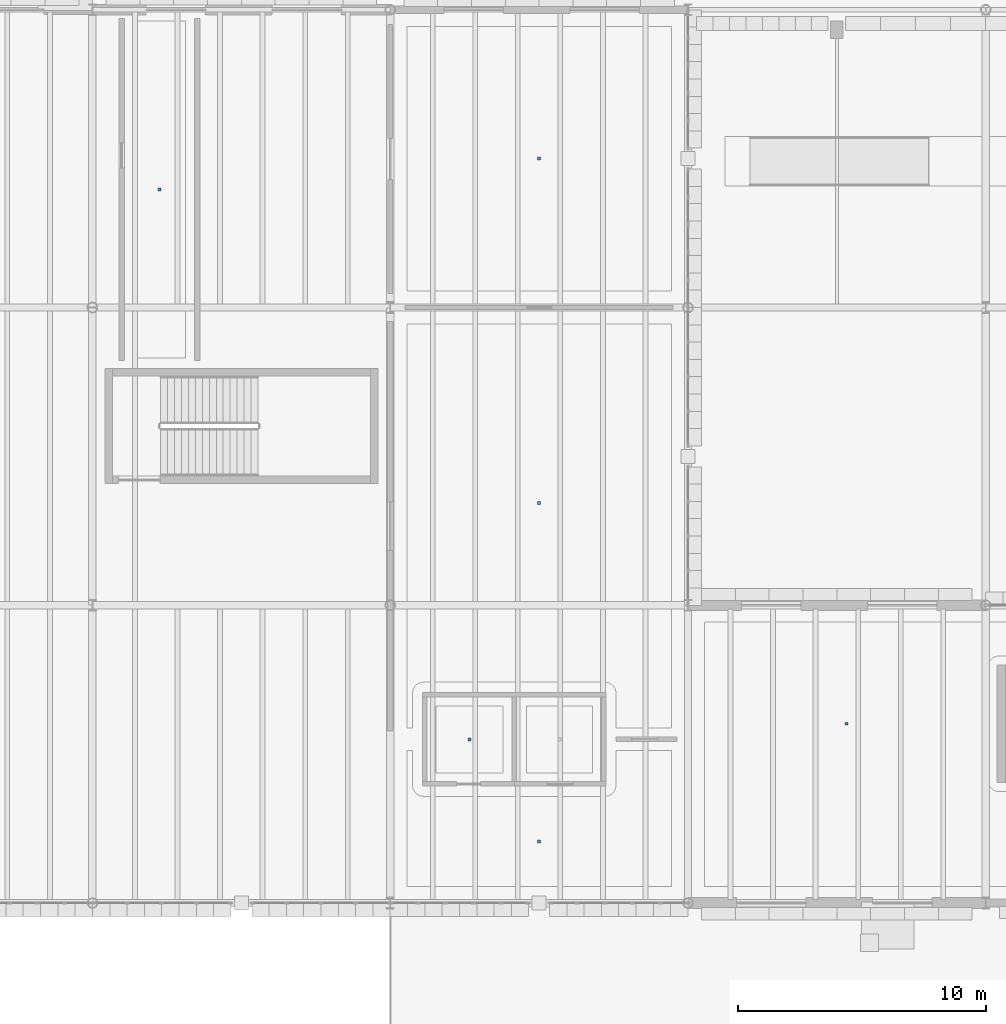
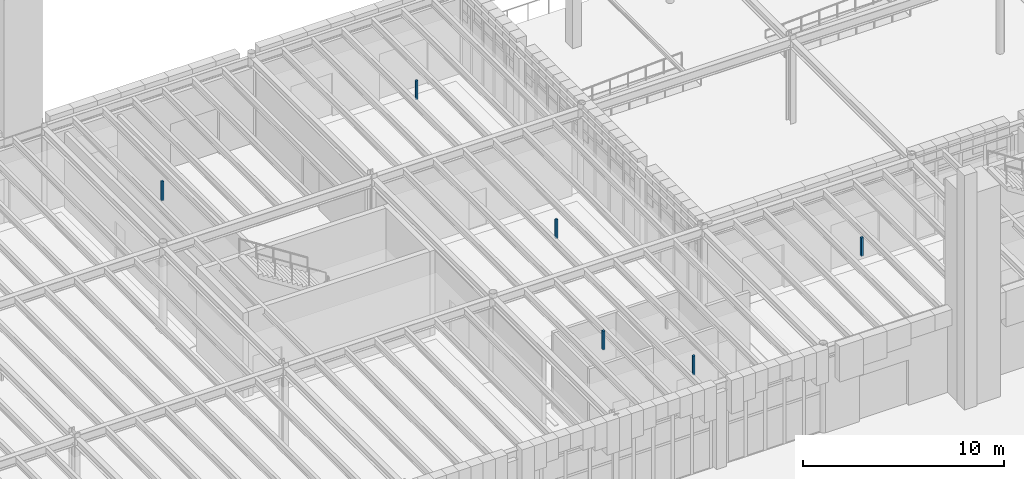
# One storey, part 62 of 103: 6 discrete accessories.
"""IFC4 building model written with IfcOpenShell, lengths in metres."""

import ifcopenshell
import ifcopenshell.guid

model = None  # the IFC model being written
_history = None  # IfcOwnerHistory: only IFC2X3 demands one
_inside = {}  # id of a spatial element -> (the spatial element, [elements in it])
_under = {}  # id of a project, library or spatial element -> (it, [spatial elements below it])
_declared = {}  # id of a project -> (the project, [libraries it declares])
_typed = {}  # id of a type object -> (the type object, [elements of that type])
_made_of = {}  # id of a material, layer set ... -> (it, [elements and type objects made of it])


def new_model(schema):
    """Start an empty IFC model of exactly this schema.

    Asked for "IFC4X3", IfcOpenShell would pick the latest addendum, in which some entities
    have other attributes; the version numbers below select the first issue.
    IFC2X3 requires an IfcOwnerHistory on every rooted entity: one is made here for all.
    """
    global model, _history
    if schema == "IFC4X3":
        model = ifcopenshell.file(schema_version=(4, 3, 0, 0))
    else:
        model = ifcopenshell.file(schema=schema)
    _inside.clear()
    _under.clear()
    _declared.clear()
    _typed.clear()
    _made_of.clear()
    _history = None
    if model.schema == "IFC2X3":
        org = make("IfcOrganization", Name="unknown")
        user = make(
            "IfcPersonAndOrganization",
            ThePerson=make("IfcPerson", FamilyName="unknown"),
            TheOrganization=org,
        )
        app = make(
            "IfcApplication",
            ApplicationDeveloper=org,
            Version="unknown",
            ApplicationFullName="unknown",
            ApplicationIdentifier="unknown",
        )
        _history = make(
            "IfcOwnerHistory",
            OwningUser=user,
            OwningApplication=app,
            ChangeAction="ADDED",
            CreationDate=0,
        )
    return model


def make(cls, **values):
    """One entity of the class cls with the attributes given. An attribute that is None is left unset."""
    return model.create_entity(
        cls, **{name: value for name, value in values.items() if value is not None}
    )


def rooted(cls, **values):
    """An entity with a GlobalId (a new one), such as an element, a storey or a relation."""
    return make(cls, GlobalId=ifcopenshell.guid.new(), OwnerHistory=_history, **values)


def si_unit(unit_type, name, prefix=None):
    """IfcSIUnit, for example si_unit("LENGTHUNIT", "METRE", prefix="MILLI")."""
    return make("IfcSIUnit", UnitType=unit_type, Prefix=prefix, Name=name)


def assignment(units):
    """IfcUnitAssignment: the units of a project."""
    return None if units is None else make("IfcUnitAssignment", Units=units)


def point(xyz):
    """IfcCartesianPoint."""
    return None if xyz is None else make("IfcCartesianPoint", Coordinates=xyz)


def direction(xyz):
    """IfcDirection."""
    return None if xyz is None else make("IfcDirection", DirectionRatios=xyz)


def frame(location, z_axis=None, x_axis=None):
    """IfcAxis2Placement3D, a coordinate frame: its origin and axes. An axis left out is left unset."""
    return make(
        "IfcAxis2Placement3D",
        Location=point(location),
        Axis=direction(z_axis),
        RefDirection=direction(x_axis),
    )


def frame_2d(location, x_axis=None):
    """IfcAxis2Placement2D, a coordinate frame in the plane: its origin and x axis."""
    return make(
        "IfcAxis2Placement2D", Location=point(location), RefDirection=direction(x_axis)
    )


def origin():
    """The frame at (0, 0, 0) with its axes left unset."""
    return frame((0.0, 0.0, 0.0))


def origin_2d():
    """The frame at (0, 0) in the plane with its x axis left unset."""
    return frame_2d((0.0, 0.0))


def place(relative_to, where):
    """IfcLocalPlacement: puts the frame where relative to a parent placement (None: the world)."""
    return make(
        "IfcLocalPlacement", PlacementRelTo=relative_to, RelativePlacement=where
    )


def context(
    kind, dimensions, precision=None, world=None, true_north=None, identifier=None
):
    """IfcGeometricRepresentationContext, for example the 3D "Model" context."""
    return make(
        "IfcGeometricRepresentationContext",
        ContextIdentifier=identifier,
        ContextType=kind,
        CoordinateSpaceDimension=dimensions,
        Precision=precision,
        WorldCoordinateSystem=world,
        TrueNorth=true_north,
    )


def subcontext(parent, identifier, kind, view, scale=None):
    """IfcGeometricRepresentationSubContext, for example "Body" below "Model"."""
    return make(
        "IfcGeometricRepresentationSubContext",
        ContextIdentifier=identifier,
        ContextType=kind,
        ParentContext=parent,
        TargetScale=scale,
        TargetView=view,
    )


def project(units=None, contexts=None):
    """IfcProject with its units and contexts."""
    return rooted(
        "IfcProject",
        Name="project",
        RepresentationContexts=contexts,
        UnitsInContext=assignment(units),
    )


def spatial(cls, under=None, at=None, **own):
    """A site, building, storey or space (cls), placed at a placement, below another one or the project."""
    s = rooted(cls, ObjectPlacement=at, **own)
    if under is not None:
        _under.setdefault(under.id(), (under, []))[1].append(s)
    return s


def profile(cls, at=None, kind="AREA", **sizes):
    """A parametric profile (cls). Its sizes go by their IFC names, for example OverallWidth=200.0."""
    return make(cls, ProfileType=kind, Position=at, **sizes)


def rectangle(**sizes):
    """IfcRectangleProfileDef."""
    return profile("IfcRectangleProfileDef", **sizes)


def extrude(swept, where, along, depth):
    """IfcExtrudedAreaSolid: the profile swept, set in the frame where, extruded along a direction by depth."""
    return make(
        "IfcExtrudedAreaSolid",
        SweptArea=swept,
        Position=where,
        ExtrudedDirection=direction(along),
        Depth=depth,
    )


def shape(context_of_items, identifier, shape_type, items):
    """IfcShapeRepresentation: the items that make up one representation, for example the "Body"."""
    return make(
        "IfcShapeRepresentation",
        ContextOfItems=context_of_items,
        RepresentationIdentifier=identifier,
        RepresentationType=shape_type,
        Items=items,
    )


def material(Name=None, Category=None):
    """IfcMaterial."""
    return make("IfcMaterial", Name=Name, Category=Category)


def made_of(thing, what):
    """Note that an element or type object is made of a material, layer set ...; save() writes the relation."""
    if what is not None:
        _made_of.setdefault(what.id(), (what, []))[1].append(thing)
    return thing


def type_object(cls, material=None, **own):
    """A type object (cls), such as IfcWallType, which elements share."""
    return made_of(rooted(cls, **own), material)


def element(
    cls,
    number,
    at=None,
    inside=None,
    cuts=None,
    type_object=None,
    material=None,
    context=None,
    identifier="Body",
    shape_type=None,
    held_by="IfcProductDefinitionShape",
    body=None,
    shapes=None,
    **own,
):
    """One element of the class cls, such as IfcWall. Its Tag is "e" and its number.

    at: its placement. inside: the storey or other place that contains it. cuts: it is an
    opening in that element (IfcRelVoidsElement). A single representation is given by context,
    identifier, shape_type and body (its items); several are given by shapes. held_by: the class
    of the entity that holds the representations. save() writes the other relations.
    """
    e = rooted(cls, Tag="e%d" % number, ObjectPlacement=at, **own)
    if body is not None:
        shapes = [shape(context, identifier, shape_type, body)]
    if shapes is not None:
        e.Representation = make(held_by, Representations=shapes)
    if inside is not None:
        _inside.setdefault(inside.id(), (inside, []))[1].append(e)
    if cuts is not None:
        rooted(
            "IfcRelVoidsElement", RelatingBuildingElement=cuts, RelatedOpeningElement=e
        )
    if type_object is not None:
        _typed.setdefault(type_object.id(), (type_object, []))[1].append(e)
    return made_of(e, material)


def aggregate(whole, parts):
    """IfcRelAggregates: a whole, such as a stair, and the parts it consists of."""
    return rooted("IfcRelAggregates", RelatingObject=whole, RelatedObjects=parts)


def save(model, path):
    """Write the relations noted so far, then the file.

    IfcRelAggregates (storeys below a building ...), IfcRelContainedInSpatialStructure (elements
    in a storey), IfcRelDefinesByType, IfcRelAssociatesMaterial and IfcRelDeclares: one each for
    every whole, place, type object, material and project.
    """
    for whole, parts in _under.values():
        aggregate(whole, parts)
    for where, things in _inside.values():
        rooted(
            "IfcRelContainedInSpatialStructure",
            RelatedElements=things,
            RelatingStructure=where,
        )
    for kind, things in _typed.values():
        rooted("IfcRelDefinesByType", RelatedObjects=things, RelatingType=kind)
    for what, things in _made_of.values():
        rooted("IfcRelAssociatesMaterial", RelatedObjects=things, RelatingMaterial=what)
    for by, libraries in _declared.values():
        rooted("IfcRelDeclares", RelatingContext=by, RelatedDefinitions=libraries)
    model.write(path)


model = new_model("IFC4")

# Units and contexts
model_context = context("Model", 3, precision=1e-05, world=origin(), true_north=direction((0.0, 1.0)))
body_context = subcontext(model_context, "Body", "Model", "MODEL_VIEW")
ifc_project = project(units=[si_unit("LENGTHUNIT", "METRE"), si_unit("AREAUNIT", "SQUARE_METRE"), si_unit("VOLUMEUNIT", "CUBIC_METRE"), si_unit("PLANEANGLEUNIT", "RADIAN"), si_unit("MASSUNIT", "GRAM", prefix="KILO")], contexts=[model_context])

# Site, building, storey
site_placement = place(None, origin())
site = spatial("IfcSite", under=ifc_project, at=site_placement, CompositionType="ELEMENT")
building_placement = place(site_placement, origin())
building = spatial("IfcBuilding", under=site, at=building_placement, Name="Zlatogorsky Bluff Art Gallery", CompositionType="ELEMENT")
storey_placement = place(building_placement, origin())
storey = spatial("IfcBuildingStorey", under=building, at=storey_placement, Name="L00", CompositionType="ELEMENT", Elevation=0.0)

# Discrete accessories
ifc_material = material(Name="Steel S355", Category="steel")
discrete_accessory_type = type_object("IfcDiscreteAccessoryType", Name="Stainless Facade Fin Bracket BRK-01", PredefinedType="BRACKET", material=ifc_material)
for number, where, z_axis, x_axis, name in (
    (1, (51.199951171875, 90.60009765625, 4.054931640625), (0.0, 0.0, 1.0), (1.0, 0.0, 0.0), "Acoustic ceiling suspension hanger L00-WC"),
    (2, (38.699951171875, 112.7548828125, 4.054931640625), (0.0, 0.0, 1.0), (1.0, 0.0, 0.0), "Acoustic ceiling suspension hanger L00-EP-07"),
    (3, (54.0, 114.0, 4.054931640625), (0.0, 0.0, 1.0), (1.0, 0.0, 0.0), "Acoustic ceiling suspension hanger L00-FC"),
    (4, (54.0, 86.485107421875, 4.054931640625), (0.0, 0.0, 1.0), (1.0, 0.0, 0.0), "Acoustic ceiling suspension hanger L00-F2-11"),
    (5, (54.0, 100.114990234375, 4.054931640625), (0.0, 0.0, 1.0), (1.0, 0.0, 0.0), "Acoustic ceiling suspension hanger L00-F2-12"),
):
    element("IfcDiscreteAccessory", number, at=place(storey_placement, frame(where, z_axis=z_axis, x_axis=x_axis)), inside=storey, type_object=discrete_accessory_type, Name=name, PredefinedType="BRACKET", context=body_context, shape_type="SweptSolid", body=[
        extrude(rectangle(XDim=0.1201171875, YDim=0.1201171875, at=origin_2d()), origin(), (0.0, 0.0, 1.0), 1.14990234375),
    ])
discrete_accessory_placement = place(storey_placement, frame((66.3798828125, 91.22509765625, 4.05517578125), z_axis=(0.0, 0.0, 1.0), x_axis=(1.0, 0.0, 0.0)))
element("IfcDiscreteAccessory", 6, at=discrete_accessory_placement, inside=storey, type_object=discrete_accessory_type, Name="Acoustic ceiling suspension hanger L00-C1-11", PredefinedType="BRACKET", context=body_context, shape_type="SweptSolid", body=[
    extrude(rectangle(XDim=0.1201171875, YDim=0.1201171875, at=origin_2d()), origin(), (0.0, 0.0, 1.0), 1.110107421875),
])

save(model, "model.ifc")
